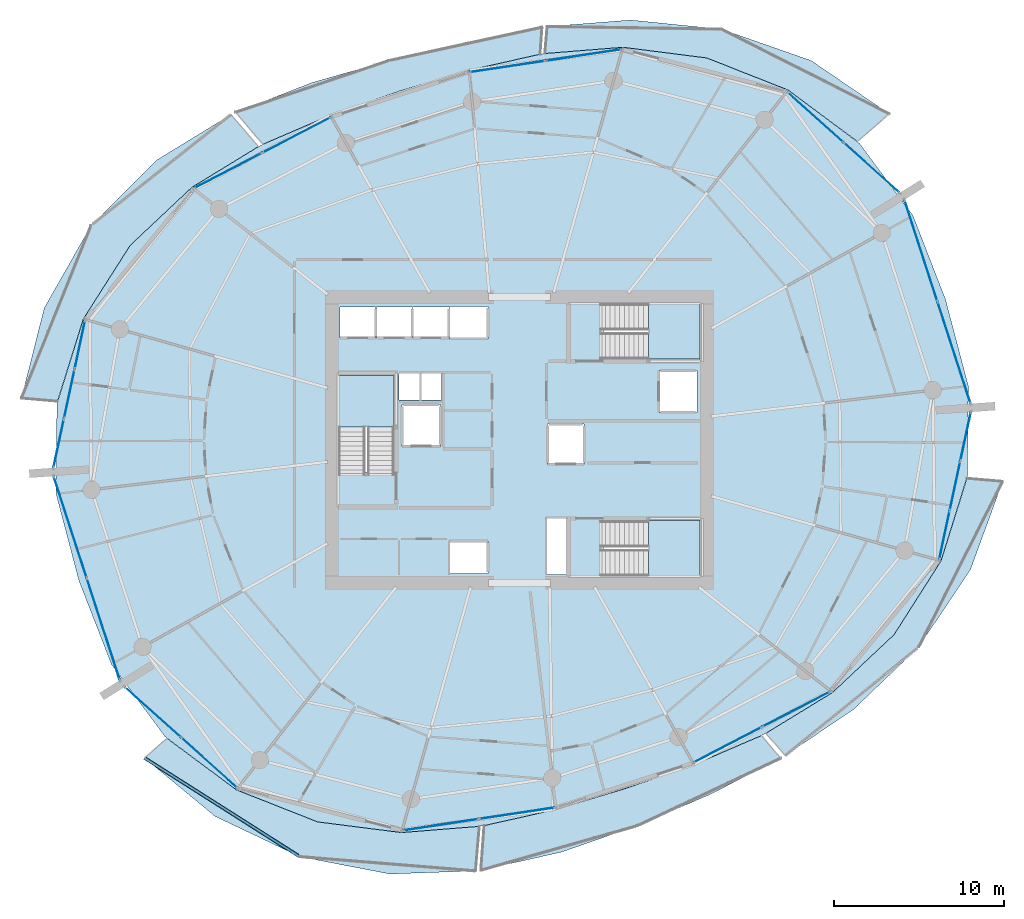
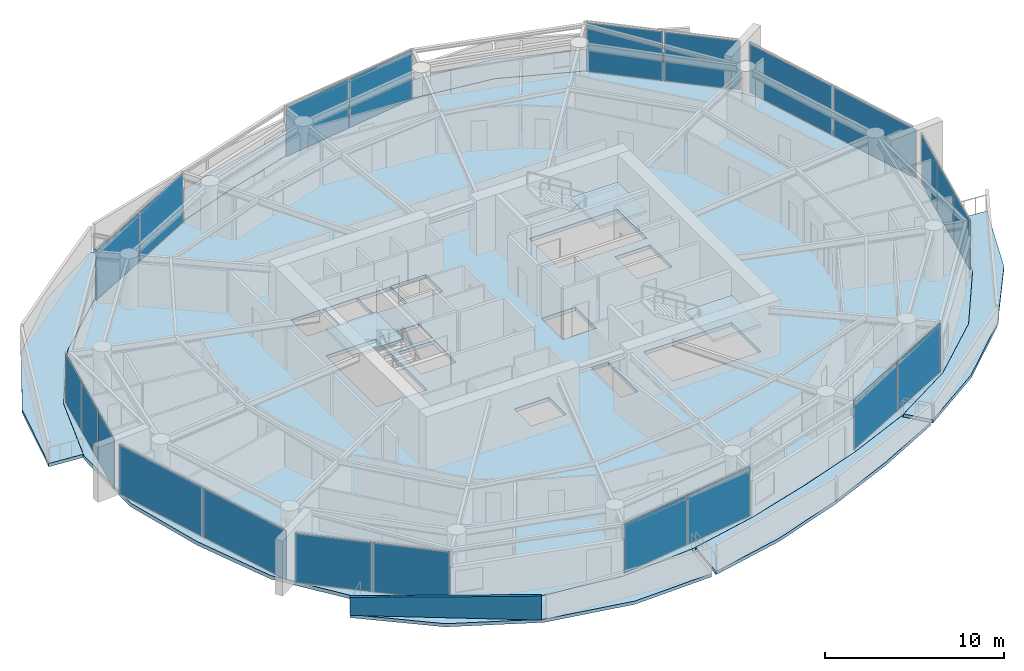
# One storey, part 10 of 20: 22 plates, 10 slabs, 1 wall, 13 elements without a shape of their own.
"""IFC4 building model written with IfcOpenShell, lengths in metres."""

from ifc_helpers import new_model, si_unit, direction, frame, origin, origin_2d, place, context, subcontext, project, spatial, polyline, rectangle, outline, extrude, material, layer, layer_set, type_object, element, aggregate, save


model = new_model("IFC4")

# Units and contexts
model_context = context("Model", 3, precision=1e-05, world=origin(), true_north=direction((0.0, 1.0)))
body_context = subcontext(model_context, "Body", "Model", "MODEL_VIEW")
ifc_project = project(units=[si_unit("LENGTHUNIT", "METRE"), si_unit("AREAUNIT", "SQUARE_METRE"), si_unit("VOLUMEUNIT", "CUBIC_METRE"), si_unit("PLANEANGLEUNIT", "RADIAN"), si_unit("MASSUNIT", "GRAM", prefix="KILO")], contexts=[model_context])

# Site, building, storey
site_placement = place(None, origin())
site = spatial("IfcSite", under=ifc_project, at=site_placement, CompositionType="ELEMENT")
building_placement = place(site_placement, origin())
building = spatial("IfcBuilding", under=site, at=building_placement, Name="Kazma Halo Residences", CompositionType="ELEMENT")
storey_placement = place(building_placement, frame((0.0, 0.0, 142.800048828125)))
storey = spatial("IfcBuildingStorey", under=building, at=storey_placement, Name="L35", CompositionType="ELEMENT", Elevation=142.800048828125)

# Curtain wall, plates
ifc_material_1 = material(Name="Aluminium AW-6063 T6 and Triple-Silver Low-E Glass", Category="aluminium")
ifc_layer_1 = layer(ifc_material_1, 0.219970703125)
ifc_layer_set_1 = layer_set([ifc_layer_1], Name="Aluminium AW-6063 T6 and Triple-Silver Low-E Glass")
curtain_wall_type = type_object("IfcCurtainWallType", Name="CW-SYS-4", PredefinedType="NOTDEFINED", material=ifc_layer_set_1)
curtain_wall_1_placement = place(storey_placement, origin())
curtain_wall_1 = element("IfcCurtainWall", 1, at=curtain_wall_1_placement, inside=storey, type_object=curtain_wall_type, Name="L35 unitised curtain wall B01", PredefinedType="NOTDEFINED")
ifc_material_2 = material(Name="Clear Triple-Silver Low-E Glass IGU", Category="glass")
ifc_layer_2 = layer(ifc_material_2, 0.033935546875)
ifc_layer_set_2 = layer_set([ifc_layer_2], Name="Clear Triple-Silver Low-E Glass IGU")
plate_type = type_object("IfcPlateType", Name="CW-SYS-4-PNL", PredefinedType="CURTAIN_PANEL", material=ifc_layer_set_2)
plate_1_placement = place(storey_placement, frame((69.126708984375, 58.008056640625, 0.074951171875), z_axis=(0.0, 0.0, 1.0), x_axis=(-0.744367582957, 0.667770096247, 0.0)))
plate_1 = element("IfcPlate", 2, at=plate_1_placement, type_object=plate_type, Name="CWS-4 panel 1.1", PredefinedType="CURTAIN_PANEL", context=body_context, shape_type="SweptSolid", body=[
    extrude(rectangle(XDim=4.36279296875, YDim=0.033935546875, at=origin_2d()), origin(), (0.0, 0.0, 1.0), 3.35009765625),
])
plate_2_placement = place(storey_placement, frame((65.823486328125, 60.971435546875, 0.074951171875), z_axis=(0.0, 0.0, 1.0), x_axis=(-0.744367582957, 0.667770096247, 0.0)))
plate_2 = element("IfcPlate", 3, at=plate_2_placement, type_object=plate_type, Name="CWS-4 panel 2.1", PredefinedType="CURTAIN_PANEL", context=body_context, shape_type="SweptSolid", body=[
    extrude(rectangle(XDim=4.36279296875, YDim=0.033935546875, at=origin_2d()), origin(), (0.0, 0.0, 1.0), 3.35009765625),
])
aggregate(curtain_wall_1, [plate_1, plate_2])

curtain_wall_2_placement = place(storey_placement, origin())
curtain_wall_2 = element("IfcCurtainWall", 4, at=curtain_wall_2_placement, inside=storey, type_object=curtain_wall_type, Name="L35 unitised curtain wall B03", PredefinedType="NOTDEFINED")
plate_3_placement = place(storey_placement, frame((52.200439453125, 64.625732421875, 0.074951171875), z_axis=(0.0, 0.0, 1.0), x_axis=(-0.988864148004, -0.148821022686, 0.0)))
plate_3 = element("IfcPlate", 5, at=plate_3_placement, type_object=plate_type, Name="CWS-4 panel 1.1", PredefinedType="CURTAIN_PANEL", context=body_context, shape_type="SweptSolid", body=[
    extrude(rectangle(XDim=4.4560546875, YDim=0.033935546875, at=origin_2d()), origin(), (0.0, 0.0, 1.0), 3.35009765625),
])
plate_4_placement = place(storey_placement, frame((47.7197265625, 63.951416015625, 0.074951171875), z_axis=(0.0, 0.0, 1.0), x_axis=(-0.988864148004, -0.148821022686, 0.0)))
plate_4 = element("IfcPlate", 6, at=plate_4_placement, type_object=plate_type, Name="CWS-4 panel 2.1", PredefinedType="CURTAIN_PANEL", context=body_context, shape_type="SweptSolid", body=[
    extrude(rectangle(XDim=4.4560546875, YDim=0.033935546875, at=origin_2d()), origin(), (0.0, 0.0, 1.0), 3.35009765625),
])
aggregate(curtain_wall_2, [plate_3, plate_4])

curtain_wall_3_placement = place(storey_placement, origin())
curtain_wall_3 = element("IfcCurtainWall", 7, at=curtain_wall_3_placement, inside=storey, type_object=curtain_wall_type, Name="L35 unitised curtain wall B05", PredefinedType="NOTDEFINED")
plate_5_placement = place(storey_placement, frame((35.323974609375, 59.923828125, 0.074951171875), z_axis=(0.0, 0.0, 1.0), x_axis=(-0.887484542306, -0.460837484552, 0.0)))
plate_5 = element("IfcPlate", 8, at=plate_5_placement, type_object=plate_type, Name="CWS-4 panel 1.1", PredefinedType="CURTAIN_PANEL", context=body_context, shape_type="SweptSolid", body=[
    extrude(rectangle(XDim=4.4560546875, YDim=0.033935546875, at=origin_2d()), origin(), (0.0, 0.0, 1.0), 3.35009765625),
])
plate_6_placement = place(storey_placement, frame((31.302734375, 57.835693359375, 0.074951171875), z_axis=(0.0, 0.0, 1.0), x_axis=(-0.887484542306, -0.460837484552, 0.0)))
plate_6 = element("IfcPlate", 9, at=plate_6_placement, type_object=plate_type, Name="CWS-4 panel 2.1", PredefinedType="CURTAIN_PANEL", context=body_context, shape_type="SweptSolid", body=[
    extrude(rectangle(XDim=4.4560546875, YDim=0.033935546875, at=origin_2d()), origin(), (0.0, 0.0, 1.0), 3.35009765625),
])
aggregate(curtain_wall_3, [plate_5, plate_6])

curtain_wall_4_placement = place(storey_placement, origin())
curtain_wall_4 = element("IfcCurtainWall", 10, at=curtain_wall_4_placement, inside=storey, type_object=curtain_wall_type, Name="L35 unitised curtain wall B07", PredefinedType="NOTDEFINED")
plate_7_placement = place(storey_placement, frame((22.5859375, 47.601318359375, 0.074951171875), z_axis=(0.0, 0.0, 1.0), x_axis=(-0.209703809037, -0.977764957684, 0.0)))
plate_7 = element("IfcPlate", 11, at=plate_7_placement, type_object=plate_type, Name="CWS-4 panel 1.1", PredefinedType="CURTAIN_PANEL", context=body_context, shape_type="SweptSolid", body=[
    extrude(rectangle(XDim=2.87109375, YDim=0.033935546875, at=origin_2d()), origin(), (0.0, 0.0, 1.0), 3.35009765625),
])
plate_8_placement = place(storey_placement, frame((21.964111328125, 44.702392578125, 0.074951171875), z_axis=(0.0, 0.0, 1.0), x_axis=(-0.209703809037, -0.977764957684, 0.0)))
plate_8 = element("IfcPlate", 12, at=plate_8_placement, type_object=plate_type, Name="CWS-4 panel 2.1", PredefinedType="CURTAIN_PANEL", context=body_context, shape_type="SweptSolid", body=[
    extrude(rectangle(XDim=2.90869140625, YDim=0.033935546875, at=origin_2d()), origin(), (0.0, 0.0, 1.0), 3.35009765625),
])
plate_9_placement = place(storey_placement, frame((21.34228515625, 41.803466796875, 0.074951171875), z_axis=(0.0, 0.0, 1.0), x_axis=(-0.209703809037, -0.977764957684, 0.0)))
plate_9 = element("IfcPlate", 13, at=plate_9_placement, type_object=plate_type, Name="CWS-4 panel 3.1", PredefinedType="CURTAIN_PANEL", context=body_context, shape_type="SweptSolid", body=[
    extrude(rectangle(XDim=2.87109375, YDim=0.033935546875, at=origin_2d()), origin(), (0.0, 0.0, 1.0), 3.35009765625),
])
aggregate(curtain_wall_4, [plate_7, plate_8, plate_9])

curtain_wall_5_placement = place(storey_placement, origin())
curtain_wall_5 = element("IfcCurtainWall", 14, at=curtain_wall_5_placement, inside=storey, type_object=curtain_wall_type, Name="L35 unitised curtain wall B08", PredefinedType="NOTDEFINED")
plate_10_placement = place(storey_placement, frame((22.017578125, 36.869873046875, 0.074951171875), z_axis=(0.0, 0.0, 1.0), x_axis=(0.3090138203, -0.951057547609, 0.0)))
plate_10 = element("IfcPlate", 15, at=plate_10_placement, type_object=plate_type, Name="CWS-4 panel 1.1", PredefinedType="CURTAIN_PANEL", context=body_context, shape_type="SweptSolid", body=[
    extrude(rectangle(XDim=6.224853515625, YDim=0.033935546875, at=origin_2d()), origin(), (0.0, 0.0, 1.0), 3.35009765625),
])
plate_11_placement = place(storey_placement, frame((23.96435546875, 30.878173828125, 0.074951171875), z_axis=(0.0, 0.0, 1.0), x_axis=(0.3090138203, -0.951057547609, 0.0)))
plate_11 = element("IfcPlate", 16, at=plate_11_placement, type_object=plate_type, Name="CWS-4 panel 2.1", PredefinedType="CURTAIN_PANEL", context=body_context, shape_type="SweptSolid", body=[
    extrude(rectangle(XDim=6.224853515625, YDim=0.033935546875, at=origin_2d()), origin(), (0.0, 0.0, 1.0), 3.35009765625),
])
aggregate(curtain_wall_5, [plate_10, plate_11])

curtain_wall_6_placement = place(storey_placement, origin())
curtain_wall_6 = element("IfcCurtainWall", 17, at=curtain_wall_6_placement, inside=storey, type_object=curtain_wall_type, Name="L35 unitised curtain wall B09", PredefinedType="NOTDEFINED")
plate_12_placement = place(storey_placement, frame((26.873291015625, 25.991943359375, 0.074951171875), z_axis=(0.0, 0.0, 1.0), x_axis=(0.744367582957, -0.667770096247, 0.0)))
plate_12 = element("IfcPlate", 18, at=plate_12_placement, type_object=plate_type, Name="CWS-4 panel 1.1", PredefinedType="CURTAIN_PANEL", context=body_context, shape_type="SweptSolid", body=[
    extrude(rectangle(XDim=4.36279296875, YDim=0.033935546875, at=origin_2d()), origin(), (0.0, 0.0, 1.0), 3.35009765625),
])
plate_13_placement = place(storey_placement, frame((30.176513671875, 23.028564453125, 0.074951171875), z_axis=(0.0, 0.0, 1.0), x_axis=(0.744367582957, -0.667770096247, 0.0)))
plate_13 = element("IfcPlate", 19, at=plate_13_placement, type_object=plate_type, Name="CWS-4 panel 2.1", PredefinedType="CURTAIN_PANEL", context=body_context, shape_type="SweptSolid", body=[
    extrude(rectangle(XDim=4.36279296875, YDim=0.033935546875, at=origin_2d()), origin(), (0.0, 0.0, 1.0), 3.35009765625),
])
aggregate(curtain_wall_6, [plate_12, plate_13])

curtain_wall_7_placement = place(storey_placement, origin())
curtain_wall_7 = element("IfcCurtainWall", 20, at=curtain_wall_7_placement, inside=storey, type_object=curtain_wall_type, Name="L35 unitised curtain wall B11", PredefinedType="NOTDEFINED")
plate_14_placement = place(storey_placement, frame((43.799560546875, 19.374267578125, 0.074951171875), z_axis=(0.0, 0.0, 1.0), x_axis=(0.988864148004, 0.148821022686, 0.0)))
plate_14 = element("IfcPlate", 21, at=plate_14_placement, type_object=plate_type, Name="CWS-4 panel 1.1", PredefinedType="CURTAIN_PANEL", context=body_context, shape_type="SweptSolid", body=[
    extrude(rectangle(XDim=4.4560546875, YDim=0.033935546875, at=origin_2d()), origin(), (0.0, 0.0, 1.0), 3.35009765625),
])
plate_15_placement = place(storey_placement, frame((48.2802734375, 20.048583984375, 0.074951171875), z_axis=(0.0, 0.0, 1.0), x_axis=(0.988864148004, 0.148821022686, 0.0)))
plate_15 = element("IfcPlate", 22, at=plate_15_placement, type_object=plate_type, Name="CWS-4 panel 2.1", PredefinedType="CURTAIN_PANEL", context=body_context, shape_type="SweptSolid", body=[
    extrude(rectangle(XDim=4.4560546875, YDim=0.033935546875, at=origin_2d()), origin(), (0.0, 0.0, 1.0), 3.35009765625),
])
aggregate(curtain_wall_7, [plate_14, plate_15])

curtain_wall_8_placement = place(storey_placement, origin())
curtain_wall_8 = element("IfcCurtainWall", 23, at=curtain_wall_8_placement, inside=storey, type_object=curtain_wall_type, Name="L35 unitised curtain wall B13", PredefinedType="NOTDEFINED")
plate_16_placement = place(storey_placement, frame((60.676025390625, 24.076171875, 0.074951171875), z_axis=(0.0, 0.0, 1.0), x_axis=(0.887484542306, 0.460837484552, 0.0)))
plate_16 = element("IfcPlate", 24, at=plate_16_placement, type_object=plate_type, Name="CWS-4 panel 1.1", PredefinedType="CURTAIN_PANEL", context=body_context, shape_type="SweptSolid", body=[
    extrude(rectangle(XDim=4.4560546875, YDim=0.033935546875, at=origin_2d()), origin(), (0.0, 0.0, 1.0), 3.35009765625),
])
plate_17_placement = place(storey_placement, frame((64.697265625, 26.164306640625, 0.074951171875), z_axis=(0.0, 0.0, 1.0), x_axis=(0.887484542306, 0.460837484552, 0.0)))
plate_17 = element("IfcPlate", 25, at=plate_17_placement, type_object=plate_type, Name="CWS-4 panel 2.1", PredefinedType="CURTAIN_PANEL", context=body_context, shape_type="SweptSolid", body=[
    extrude(rectangle(XDim=4.4560546875, YDim=0.033935546875, at=origin_2d()), origin(), (0.0, 0.0, 1.0), 3.35009765625),
])
aggregate(curtain_wall_8, [plate_16, plate_17])

curtain_wall_9_placement = place(storey_placement, origin())
curtain_wall_9 = element("IfcCurtainWall", 26, at=curtain_wall_9_placement, inside=storey, type_object=curtain_wall_type, Name="L35 unitised curtain wall B15", PredefinedType="NOTDEFINED")
plate_18_placement = place(storey_placement, frame((73.4140625, 36.398681640625, 0.074951171875), z_axis=(0.0, 0.0, 1.0), x_axis=(0.209703809037, 0.977764957684, 0.0)))
plate_18 = element("IfcPlate", 27, at=plate_18_placement, type_object=plate_type, Name="CWS-4 panel 1.1", PredefinedType="CURTAIN_PANEL", context=body_context, shape_type="SweptSolid", body=[
    extrude(rectangle(XDim=2.87109375, YDim=0.033935546875, at=origin_2d()), origin(), (0.0, 0.0, 1.0), 3.35009765625),
])
plate_19_placement = place(storey_placement, frame((74.035888671875, 39.297607421875, 0.074951171875), z_axis=(0.0, 0.0, 1.0), x_axis=(0.209703809037, 0.977764957684, 0.0)))
plate_19 = element("IfcPlate", 28, at=plate_19_placement, type_object=plate_type, Name="CWS-4 panel 2.1", PredefinedType="CURTAIN_PANEL", context=body_context, shape_type="SweptSolid", body=[
    extrude(rectangle(XDim=2.90869140625, YDim=0.033935546875, at=origin_2d()), origin(), (0.0, 0.0, 1.0), 3.35009765625),
])
plate_20_placement = place(storey_placement, frame((74.65771484375, 42.196533203125, 0.074951171875), z_axis=(0.0, 0.0, 1.0), x_axis=(0.209703809037, 0.977764957684, 0.0)))
plate_20 = element("IfcPlate", 29, at=plate_20_placement, type_object=plate_type, Name="CWS-4 panel 3.1", PredefinedType="CURTAIN_PANEL", context=body_context, shape_type="SweptSolid", body=[
    extrude(rectangle(XDim=2.87109375, YDim=0.033935546875, at=origin_2d()), origin(), (0.0, 0.0, 1.0), 3.35009765625),
])
aggregate(curtain_wall_9, [plate_18, plate_19, plate_20])

curtain_wall_10_placement = place(storey_placement, origin())
curtain_wall_10 = element("IfcCurtainWall", 30, at=curtain_wall_10_placement, inside=storey, type_object=curtain_wall_type, Name="L35 unitised curtain wall B16", PredefinedType="NOTDEFINED")
plate_21_placement = place(storey_placement, frame((73.982421875, 47.130126953125, 0.074951171875), z_axis=(0.0, 0.0, 1.0), x_axis=(-0.3090138203, 0.951057547609, 0.0)))
plate_21 = element("IfcPlate", 31, at=plate_21_placement, type_object=plate_type, Name="CWS-4 panel 1.1", PredefinedType="CURTAIN_PANEL", context=body_context, shape_type="SweptSolid", body=[
    extrude(rectangle(XDim=6.224853515625, YDim=0.033935546875, at=origin_2d()), origin(), (0.0, 0.0, 1.0), 3.35009765625),
])
plate_22_placement = place(storey_placement, frame((72.03564453125, 53.121826171875, 0.074951171875), z_axis=(0.0, 0.0, 1.0), x_axis=(-0.3090138203, 0.951057547609, 0.0)))
plate_22 = element("IfcPlate", 32, at=plate_22_placement, type_object=plate_type, Name="CWS-4 panel 2.1", PredefinedType="CURTAIN_PANEL", context=body_context, shape_type="SweptSolid", body=[
    extrude(rectangle(XDim=6.224853515625, YDim=0.033935546875, at=origin_2d()), origin(), (0.0, 0.0, 1.0), 3.35009765625),
])
aggregate(curtain_wall_10, [plate_21, plate_22])

# Slabs
ifc_material_3 = material(Name="White Concrete C50/60", Category="concrete")
ifc_layer_3 = layer(ifc_material_3, 0.219970703125)
ifc_layer_set_3 = layer_set([ifc_layer_3], Name="White Concrete C50/60")
slab_type_1 = type_object("IfcSlabType", Name="SLB-BAL-WAVE-210", PredefinedType="FLOOR", material=ifc_layer_set_3)
slab_1_placement = place(storey_placement, frame((0.0, 0.0, -0.219970703125)))
element("IfcSlab", 33, at=slab_1_placement, inside=storey, type_object=slab_type_1, Name="L35 NE cantilevered wave balcony slab", PredefinedType="FLOOR", context=body_context, shape_type="SweptSolid", body=[
    extrude(outline(polyline([(68.294677734375, 59.548583984375), (64.21923828125, 62.573974609375), (59.442626953125, 64.45751953125), (54.510986328125, 65.0859375), (49.927978515625, 64.720458984375), (50.062255859375, 66.3037109375), (54.962890625, 66.68896484375), (60.3046875, 66.1494140625), (65.580810546875, 64.30126953125), (70.169921875, 61.170166015625), (68.294677734375, 59.548583984375)])), origin(), (0.0, 0.0, 1.0), 0.219970703125),
])
slab_2_placement = place(storey_placement, frame((0.0, 0.0, -0.219970703125)))
element("IfcSlab", 34, at=slab_2_placement, inside=storey, type_object=slab_type_1, Name="L35 NNW cantilevered wave balcony slab", PredefinedType="FLOOR", context=body_context, shape_type="SweptSolid", body=[
    extrude(outline(polyline([(49.6455078125, 64.67822265625), (45.427978515625, 63.72998046875), (41.3408203125, 62.494873046875), (37.30810546875, 61.091552734375), (33.3388671875, 59.3798828125), (31.749267578125, 61.264404296875), (36.2333984375, 63.010498046875), (40.75390625, 64.30078125), (45.232421875, 65.3837890625), (49.76025390625, 66.258544921875), (49.6455078125, 64.67822265625)])), origin(), (0.0, 0.0, 1.0), 0.219970703125),
])
slab_3_placement = place(storey_placement, frame((0.0, 0.0, -0.219970703125)))
element("IfcSlab", 35, at=slab_3_placement, inside=storey, type_object=slab_type_1, Name="L35 NW cantilevered wave balcony slab", PredefinedType="FLOOR", context=body_context, shape_type="SweptSolid", body=[
    extrude(outline(polyline([(33.08544921875, 59.248046875), (29.1630859375, 56.849853515625), (25.54248046875, 53.442626953125), (22.78515625, 49.111328125), (21.2666015625, 44.268310546875), (19.146484375, 44.4482421875), (20.48779296875, 49.75927734375), (23.2451171875, 54.61328125), (27.114990234375, 58.464599609375), (31.46142578125, 61.12646484375), (33.08544921875, 59.248046875)])), origin(), (0.0, 0.0, 1.0), 0.219970703125),
])
slab_4_placement = place(storey_placement, frame((0.0, 0.0, -0.219970703125)))
element("IfcSlab", 36, at=slab_4_placement, inside=storey, type_object=slab_type_1, Name="L35 SW cantilevered wave balcony slab", PredefinedType="FLOOR", context=body_context, shape_type="SweptSolid", body=[
    extrude(outline(polyline([(27.705322265625, 24.451416015625), (31.78076171875, 21.426025390625), (36.557373046875, 19.54248046875), (41.489013671875, 18.9140625), (46.072021484375, 19.279541015625), (45.849853515625, 16.66015625), (40.80224609375, 16.478759765625), (35.5146484375, 17.49609375), (30.544677734375, 19.85791015625), (26.376220703125, 23.302001953125), (27.705322265625, 24.451416015625)])), origin(), (0.0, 0.0, 1.0), 0.219970703125),
])
slab_5_placement = place(storey_placement, frame((0.0, 0.0, -0.219970703125)))
element("IfcSlab", 37, at=slab_5_placement, inside=storey, type_object=slab_type_1, Name="L35 SSE cantilevered wave balcony slab", PredefinedType="FLOOR", context=body_context, shape_type="SweptSolid", body=[
    extrude(outline(polyline([(46.3544921875, 19.32177734375), (50.572021484375, 20.27001953125), (54.6591796875, 21.505126953125), (58.69189453125, 22.908447265625), (62.6611328125, 24.6201171875), (63.785400390625, 23.287353515625), (59.667236328125, 21.16650390625), (55.368896484375, 19.320556640625), (50.869384765625, 17.75732421875), (46.16455078125, 16.704345703125), (46.3544921875, 19.32177734375)])), origin(), (0.0, 0.0, 1.0), 0.219970703125),
])
slab_6_placement = place(storey_placement, frame((0.0, 0.0, -0.219970703125)))
element("IfcSlab", 38, at=slab_6_placement, inside=storey, type_object=slab_type_1, Name="L35 SE cantilevered wave balcony slab", PredefinedType="FLOOR", context=body_context, shape_type="SweptSolid", body=[
    extrude(outline(polyline([(62.91455078125, 24.751953125), (66.8369140625, 27.150146484375), (70.45751953125, 30.557373046875), (73.21484375, 34.888671875), (74.7333984375, 39.731689453125), (76.834716796875, 39.55322265625), (74.9560546875, 34.397705078125), (71.898681640625, 29.822998046875), (68.083984375, 26.1669921875), (64.048828125, 23.43994140625), (62.91455078125, 24.751953125)])), origin(), (0.0, 0.0, 1.0), 0.219970703125),
])
ifc_material_4 = material(Name="Concrete C50/60", Category="concrete")
ifc_layer_4 = layer(ifc_material_4, 0.25)
ifc_layer_set_4 = layer_set([ifc_layer_4], Name="Concrete C50/60")
slab_type_2 = type_object("IfcSlabType", Name="SLB-RES-250", PredefinedType="FLOOR", material=ifc_layer_set_4)
slab_7_placement = place(storey_placement, frame((0.0, 0.0, -0.25)))
element("IfcSlab", 39, at=slab_7_placement, inside=storey, type_object=slab_type_2, Name="L35 structural floor slab", PredefinedType="FLOOR", context=body_context, shape_type="SweptSolid", body=[
    extrude(outline(polyline([(73.47265625, 50.276611328125), (71.56201171875, 55.1953125), (68.41796875, 59.438720703125), (64.218017578125, 62.572509765625), (59.441650390625, 64.45556640625), (54.510498046875, 65.083984375), (49.787109375, 64.706298828125), (45.42822265625, 63.727783203125), (41.341552734375, 62.492919921875), (37.30908203125, 61.08984375), (33.2080078125, 59.3193359375), (29.16455078125, 56.8486328125), (25.54443359375, 53.441650390625), (22.787109375, 49.110595703125), (21.2314453125, 44.106689453125), (21.181884765625, 38.825927734375), (22.52734375, 33.723388671875), (24.43798828125, 28.8046875), (27.58203125, 24.561279296875), (31.781982421875, 21.427490234375), (36.558349609375, 19.54443359375), (41.489501953125, 18.916015625), (46.212890625, 19.293701171875), (50.57177734375, 20.272216796875), (54.658447265625, 21.507080078125), (58.69091796875, 22.91015625), (62.7919921875, 24.6806640625), (66.83544921875, 27.1513671875), (70.45556640625, 30.558349609375), (73.212890625, 34.889404296875), (74.7685546875, 39.893310546875), (74.818115234375, 45.174072265625), (73.47265625, 50.276611328125)]), holes=[polyline([(37.800048828125, 40.110107421875), (41.050048828125, 40.110107421875), (41.050048828125, 45.800048828125), (37.800048828125, 45.800048828125), (37.800048828125, 40.110107421875)]), polyline([(53.360107421875, 46.75), (59.050048828125, 46.75), (59.050048828125, 50.0), (53.360107421875, 50.0), (53.360107421875, 46.75)]), polyline([(53.360107421875, 34.0), (59.050048828125, 34.0), (59.050048828125, 37.25), (53.360107421875, 37.25), (53.360107421875, 34.0)]), polyline([(41.52001953125, 41.6201171875), (43.780029296875, 41.6201171875), (43.780029296875, 44.080078125), (41.52001953125, 44.080078125), (41.52001953125, 41.6201171875)]), polyline([(56.6201171875, 43.6201171875), (58.8798828125, 43.6201171875), (58.8798828125, 46.080078125), (56.6201171875, 46.080078125), (56.6201171875, 43.6201171875)]), polyline([(37.864990234375, 47.9951171875), (39.97509765625, 47.9951171875), (39.97509765625, 49.804931640625), (37.864990234375, 49.804931640625), (37.864990234375, 47.9951171875)]), polyline([(40.014892578125, 47.9951171875), (42.125, 47.9951171875), (42.125, 49.804931640625), (40.014892578125, 49.804931640625), (40.014892578125, 47.9951171875)]), polyline([(42.1650390625, 47.9951171875), (44.27490234375, 47.9951171875), (44.27490234375, 49.804931640625), (42.1650390625, 49.804931640625), (42.1650390625, 47.9951171875)]), polyline([(44.320068359375, 47.945068359375), (46.580078125, 47.945068359375), (46.580078125, 49.85498046875), (44.320068359375, 49.85498046875), (44.320068359375, 47.945068359375)]), polyline([(44.320068359375, 34.14501953125), (46.580078125, 34.14501953125), (46.580078125, 36.054931640625), (44.320068359375, 36.054931640625), (44.320068359375, 34.14501953125)]), polyline([(50.070068359375, 40.570068359375), (52.22998046875, 40.570068359375), (52.22998046875, 42.929931640625), (50.070068359375, 42.929931640625), (50.070068359375, 40.570068359375)]), polyline([(41.360107421875, 44.340087890625), (42.5400390625, 44.340087890625), (42.5400390625, 45.89990234375), (41.360107421875, 45.89990234375), (41.360107421875, 44.340087890625)]), polyline([(42.659912109375, 44.340087890625), (43.840087890625, 44.340087890625), (43.840087890625, 45.89990234375), (42.659912109375, 45.89990234375), (42.659912109375, 44.340087890625)]), polyline([(50.06005859375, 34.080078125), (51.159912109375, 34.080078125), (51.159912109375, 37.3798828125), (50.06005859375, 37.3798828125), (50.06005859375, 34.080078125)])]), origin(), (0.0, 0.0, 1.0), 0.25),
])

# Stair, slab
stair_type = type_object("IfcStairType", Name="STR-RES1", PredefinedType="HALF_TURN_STAIR", material=ifc_material_4)
stair_1_placement = place(storey_placement, origin())
stair_1 = element("IfcStair", 40, at=stair_1_placement, inside=storey, type_object=stair_type, Name="L35 Core exit stair ST-01", PredefinedType="HALF_TURN_STAIR")
ifc_layer_5 = layer(ifc_material_4, 0.199951171875)
ifc_layer_set_5 = layer_set([ifc_layer_5], Name="Concrete C50/60")
slab_type_3 = type_object("IfcSlabType", Name="SLB-STAIR-LND-200", PredefinedType="LANDING", material=ifc_layer_set_5)
slab_8_placement = place(storey_placement, frame((0.0, 0.0, 1.675048828125)))
slab_8 = element("IfcSlab", 41, at=slab_8_placement, type_object=slab_type_3, Name="ST-01 landing 1", PredefinedType="LANDING", context=body_context, shape_type="SweptSolid", body=[
    extrude(outline(polyline([(41.050048828125, 42.75), (41.050048828125, 45.800048828125), (37.800048828125, 45.800048828125), (37.800048828125, 42.75), (41.050048828125, 42.75)])), origin(), (0.0, 0.0, 1.0), 0.199951171875),
])
aggregate(stair_1, [slab_8])

stair_2_placement = place(storey_placement, origin())
stair_2 = element("IfcStair", 42, at=stair_2_placement, inside=storey, type_object=stair_type, Name="L35 Core exit stair ST-02", PredefinedType="HALF_TURN_STAIR")
slab_9_placement = place(storey_placement, frame((0.0, 0.0, 1.675048828125)))
slab_9 = element("IfcSlab", 43, at=slab_9_placement, type_object=slab_type_3, Name="ST-02 landing 1", PredefinedType="LANDING", context=body_context, shape_type="SweptSolid", body=[
    extrude(outline(polyline([(56.0, 46.75), (59.050048828125, 46.75), (59.050048828125, 50.0), (56.0, 50.0), (56.0, 46.75)])), origin(), (0.0, 0.0, 1.0), 0.199951171875),
])
aggregate(stair_2, [slab_9])

stair_3_placement = place(storey_placement, origin())
stair_3 = element("IfcStair", 44, at=stair_3_placement, inside=storey, type_object=stair_type, Name="L35 Core exit stair ST-03", PredefinedType="HALF_TURN_STAIR")
slab_10_placement = place(storey_placement, frame((0.0, 0.0, 1.675048828125)))
slab_10 = element("IfcSlab", 45, at=slab_10_placement, type_object=slab_type_3, Name="ST-03 landing 1", PredefinedType="LANDING", context=body_context, shape_type="SweptSolid", body=[
    extrude(outline(polyline([(56.0, 34.0), (59.050048828125, 34.0), (59.050048828125, 37.25), (56.0, 37.25), (56.0, 34.0)])), origin(), (0.0, 0.0, 1.0), 0.199951171875),
])
aggregate(stair_3, [slab_10])

# Wall
ifc_material_5 = material(Name="White Concrete C50/60 Balustrade", Category="concrete")
ifc_layer_6 = layer(ifc_material_5, 0.179931640625)
ifc_layer_set_6 = layer_set([ifc_layer_6], Name="White Concrete C50/60 Balustrade")
wall_type = type_object("IfcWallType", Name="WL-BAL-WAVE-180", PredefinedType="PARAPET", material=ifc_layer_set_6)
wall_placement = place(storey_placement, frame((26.376220703125, 23.302001953125, 0.0), z_axis=(0.0, 0.0, 1.0), x_axis=(0.844049978771, -0.536264518066, 0.0)))
element("IfcWall", 46, at=wall_placement, inside=storey, type_object=wall_type, Name="L35 white wave balustrade wall SW.1", PredefinedType="PARAPET", context=body_context, shape_type="SweptSolid", body=[
    extrude(outline(polyline([(0.0, 0.0), (10.706787109375, 0.0), (10.706787109375, 1.6318359375), (5.353271484375, 1.41796875), (0.0, 1.23291015625), (0.0, 0.0)])), frame((0.0, 0.08984375, 0.0), z_axis=(0.0, -1.0, 0.0), x_axis=(1.0, 0.0, 0.0)), (0.0, 0.0, 1.0), 0.179931640625),
])

save(model, "model.ifc")
